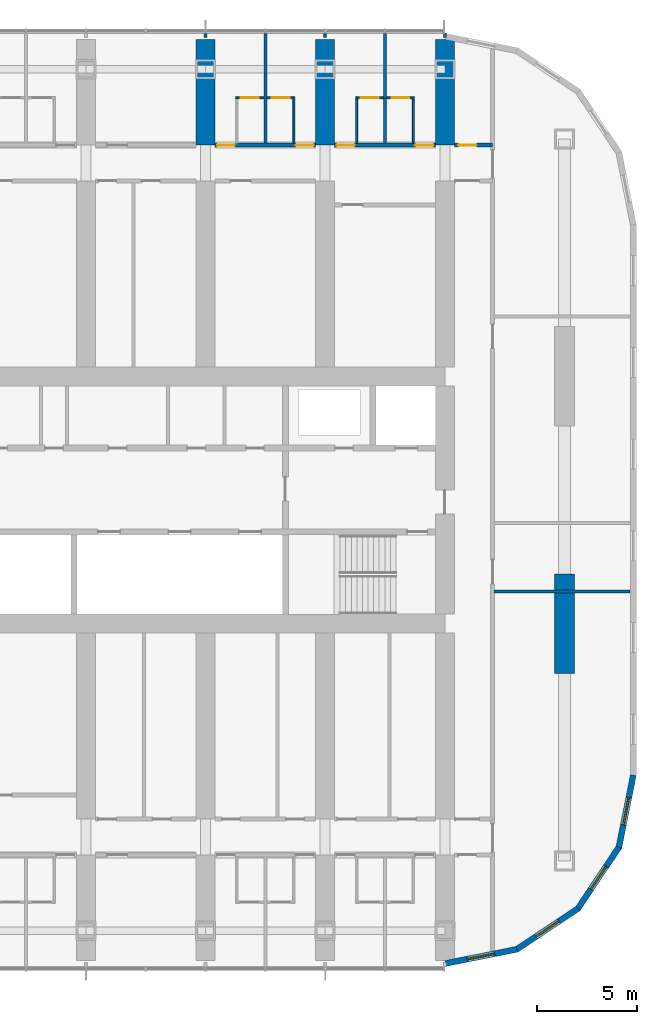
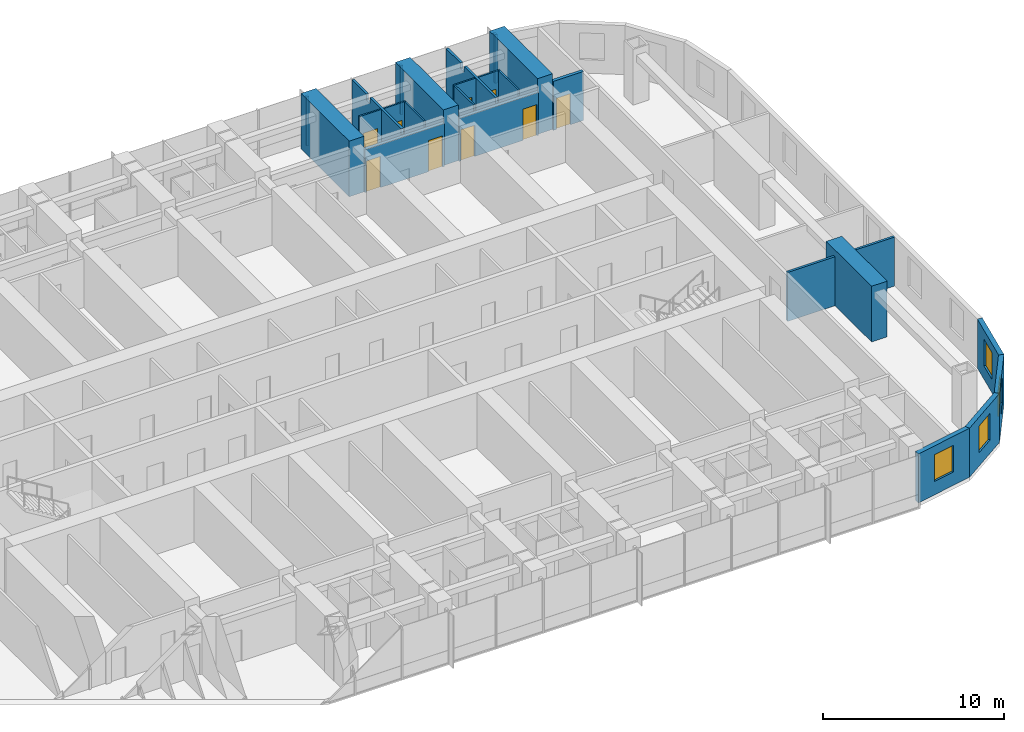
# One storey, part 15 of 21: 24 walls, 9 doors, 4 windows, 13 openings.
"""IFC4 building model written with IfcOpenShell, lengths in metres."""

from ifc_helpers import new_model, si_unit, direction, frame, frame_2d, origin, place, context, subcontext, project, spatial, polyline, rectangle, outline, extrude, material, layer, layer_set, type_object, element, fill, save


model = new_model("IFC4")

# Units and contexts
model_context = context("Model", 3, precision=1e-05, world=origin(), true_north=direction((0.0, 1.0)))
body_context = subcontext(model_context, "Body", "Model", "MODEL_VIEW")
ifc_project = project(units=[si_unit("LENGTHUNIT", "METRE"), si_unit("AREAUNIT", "SQUARE_METRE"), si_unit("VOLUMEUNIT", "CUBIC_METRE"), si_unit("PLANEANGLEUNIT", "RADIAN"), si_unit("MASSUNIT", "GRAM", prefix="KILO")], contexts=[model_context])

# Site, building, storey
site_placement = place(None, origin())
site = spatial("IfcSite", under=ifc_project, at=site_placement, CompositionType="ELEMENT")
building_placement = place(site_placement, origin())
building = spatial("IfcBuilding", under=site, at=building_placement, Name="Orbita Commons", CompositionType="ELEMENT")
storey_placement = place(building_placement, frame((0.0, 0.0, 95.64990234375)))
storey = spatial("IfcBuildingStorey", under=building, at=storey_placement, Name="L23", CompositionType="ELEMENT", Elevation=95.64990234375)

# Wall, openings, doors
ifc_material_1 = material(Name="Concrete blockwork", Category="masonry")
ifc_layer_1 = layer(ifc_material_1, 0.199951171875)
ifc_layer_set_1 = layer_set([ifc_layer_1], Name="Concrete blockwork")
wall_type_1 = type_object("IfcWallType", Name="Corridor wall 200 blockwork", PredefinedType="SOLIDWALL", material=ifc_layer_set_1)
wall_1_placement = place(storey_placement, frame((54.47509765625, 49.800048828125, 0.0), z_axis=(0.0, 0.0, 1.0), x_axis=(1.0, 0.0, 0.0)))
wall_1 = element("IfcWall", 1, at=wall_1_placement, inside=storey, type_object=wall_type_1, Name="Corridor wall 200 blockwork L23", PredefinedType="SOLIDWALL", context=body_context, shape_type="SweptSolid", body=[
    extrude(outline(polyline([(0.0, 0.0), (5.0498046875, 0.0), (5.050048828125, 2.900146484375), (0.0, 2.900146484375), (0.0, 0.0)])), frame((0.0, 0.10009765625, 0.0), z_axis=(0.0, -1.0, 0.0), x_axis=(1.0, 0.0, 0.0)), (0.0, 0.0, 1.0), 0.199951171875),
])
opening_1_placement = place(wall_1_placement, frame((0.10009765625, 0.0, 0.0)))
opening_1 = element("IfcOpeningElement", 2, at=opening_1_placement, cuts=wall_1, Name="Opening D11", PredefinedType="OPENING", context=body_context, shape_type="SweptSolid", body=[
    extrude(rectangle(XDim=0.89990234375, YDim=2.10009765625, at=frame_2d((0.449951171875, 1.050048828125))), frame((0.0, 0.10986328125, 0.0), z_axis=(0.0, -1.0, 0.0), x_axis=(1.0, 0.0, 0.0)), (0.0, 0.0, 1.0), 0.219970703125),
])
opening_2_placement = place(wall_1_placement, frame((4.050048828125, 0.0, 0.0)))
opening_2 = element("IfcOpeningElement", 3, at=opening_2_placement, cuts=wall_1, Name="Opening D11", PredefinedType="OPENING", context=body_context, shape_type="SweptSolid", body=[
    extrude(rectangle(XDim=0.89990234375, YDim=2.10009765625, at=frame_2d((0.449951171875, 1.050048828125))), frame((0.0, 0.10986328125, 0.0), z_axis=(0.0, -1.0, 0.0), x_axis=(1.0, 0.0, 0.0)), (0.0, 0.0, 1.0), 0.219970703125),
])
ifc_material_2 = material(Name="Steel-faced fire door leaf", Category="steel")
door_type_1 = type_object("IfcDoorType", Name="Corridor door 20 min 900x2100", OperationType="SINGLE_SWING_LEFT", PredefinedType="DOOR", material=ifc_material_2)
door_1_placement = place(opening_1_placement, origin())
door_1 = element("IfcDoor", 4, at=door_1_placement, inside=storey, type_object=door_type_1, Name="Cluster bedroom L23-N14 door", OperationType="SINGLE_SWING_LEFT", OverallHeight=2.10009765625, OverallWidth=0.89990234375, PredefinedType="DOOR", context=body_context, shape_type="SweptSolid", body=[
    extrude(rectangle(XDim=0.89990234375, YDim=2.10009765625, at=frame_2d((0.449951171875, 1.050048828125))), frame((0.0, 0.02490234375, 0.0), z_axis=(0.0, -1.0, 0.0), x_axis=(1.0, 0.0, 0.0)), (0.0, 0.0, 1.0), 0.050048828125),
])
fill(opening_1, door_1)
door_2_placement = place(opening_2_placement, origin())
door_2 = element("IfcDoor", 5, at=door_2_placement, inside=storey, type_object=door_type_1, Name="Cluster bedroom L23-N15 door", OperationType="SINGLE_SWING_LEFT", OverallHeight=2.10009765625, OverallWidth=0.89990234375, PredefinedType="DOOR", context=body_context, shape_type="SweptSolid", body=[
    extrude(rectangle(XDim=0.89990234375, YDim=2.10009765625, at=frame_2d((0.449951171875, 1.050048828125))), frame((0.0, 0.02490234375, 0.0), z_axis=(0.0, -1.0, 0.0), x_axis=(1.0, 0.0, 0.0)), (0.0, 0.0, 1.0), 0.050048828125),
])
fill(opening_2, door_2)

wall_2_placement = place(storey_placement, frame((60.47509765625, 49.800048828125, 0.0), z_axis=(0.0, 0.0, 1.0), x_axis=(1.0, 0.0, 0.0)))
wall_2 = element("IfcWall", 6, at=wall_2_placement, inside=storey, type_object=wall_type_1, Name="Corridor wall 200 blockwork L23", PredefinedType="SOLIDWALL", context=body_context, shape_type="SweptSolid", body=[
    extrude(outline(polyline([(0.0, 0.0), (5.0498046875, 0.0), (5.050048828125, 2.900146484375), (0.0, 2.900146484375), (0.0, 0.0)])), frame((0.0, 0.10009765625, 0.0), z_axis=(0.0, -1.0, 0.0), x_axis=(1.0, 0.0, 0.0)), (0.0, 0.0, 1.0), 0.199951171875),
])
opening_3_placement = place(wall_2_placement, frame((0.10009765625, 0.0, 0.0)))
opening_3 = element("IfcOpeningElement", 7, at=opening_3_placement, cuts=wall_2, Name="Opening D11", PredefinedType="OPENING", context=body_context, shape_type="SweptSolid", body=[
    extrude(rectangle(XDim=0.89990234375, YDim=2.10009765625, at=frame_2d((0.449951171875, 1.050048828125))), frame((0.0, 0.10986328125, 0.0), z_axis=(0.0, -1.0, 0.0), x_axis=(1.0, 0.0, 0.0)), (0.0, 0.0, 1.0), 0.219970703125),
])
opening_4_placement = place(wall_2_placement, frame((4.050048828125, 0.0, 0.0)))
opening_4 = element("IfcOpeningElement", 8, at=opening_4_placement, cuts=wall_2, Name="Opening D11", PredefinedType="OPENING", context=body_context, shape_type="SweptSolid", body=[
    extrude(rectangle(XDim=0.89990234375, YDim=2.10009765625, at=frame_2d((0.449951171875, 1.050048828125))), frame((0.0, 0.10986328125, 0.0), z_axis=(0.0, -1.0, 0.0), x_axis=(1.0, 0.0, 0.0)), (0.0, 0.0, 1.0), 0.219970703125),
])
door_3_placement = place(opening_3_placement, origin())
door_3 = element("IfcDoor", 9, at=door_3_placement, inside=storey, type_object=door_type_1, Name="Cluster bedroom L23-N16 door", OperationType="SINGLE_SWING_LEFT", OverallHeight=2.10009765625, OverallWidth=0.89990234375, PredefinedType="DOOR", context=body_context, shape_type="SweptSolid", body=[
    extrude(rectangle(XDim=0.89990234375, YDim=2.10009765625, at=frame_2d((0.449951171875, 1.050048828125))), frame((0.0, 0.02490234375, 0.0), z_axis=(0.0, -1.0, 0.0), x_axis=(1.0, 0.0, 0.0)), (0.0, 0.0, 1.0), 0.050048828125),
])
fill(opening_3, door_3)
door_4_placement = place(opening_4_placement, origin())
door_4 = element("IfcDoor", 10, at=door_4_placement, inside=storey, type_object=door_type_1, Name="Cluster bedroom L23-N17 door", OperationType="SINGLE_SWING_LEFT", OverallHeight=2.10009765625, OverallWidth=0.89990234375, PredefinedType="DOOR", context=body_context, shape_type="SweptSolid", body=[
    extrude(rectangle(XDim=0.89990234375, YDim=2.10009765625, at=frame_2d((0.449951171875, 1.050048828125))), frame((0.0, 0.02490234375, 0.0), z_axis=(0.0, -1.0, 0.0), x_axis=(1.0, 0.0, 0.0)), (0.0, 0.0, 1.0), 0.050048828125),
])
fill(opening_4, door_4)

# Wall, opening, door
wall_3_placement = place(storey_placement, frame((66.47509765625, 49.800048828125, 0.0), z_axis=(0.0, 0.0, 1.0), x_axis=(1.0, 0.0, 0.0)))
wall_3 = element("IfcWall", 11, at=wall_3_placement, inside=storey, type_object=wall_type_1, Name="Corridor wall 200 blockwork L23", PredefinedType="SOLIDWALL", context=body_context, shape_type="SweptSolid", body=[
    extrude(rectangle(XDim=1.9248046875, YDim=0.199951171875, at=frame_2d((0.96240234375, 0.0))), origin(), (0.0, 0.0, 1.0), 3.300048828125),
])
opening_5_placement = place(wall_3_placement, frame((0.199951171875, 0.0, 0.0)))
opening_5 = element("IfcOpeningElement", 12, at=opening_5_placement, cuts=wall_3, Name="Opening D05", PredefinedType="OPENING", context=body_context, shape_type="SweptSolid", body=[
    extrude(rectangle(XDim=0.89990234375, YDim=2.10009765625, at=frame_2d((0.449951171875, 1.050048828125))), frame((0.0, 0.10986328125, 0.0), z_axis=(0.0, -1.0, 0.0), x_axis=(1.0, 0.0, 0.0)), (0.0, 0.0, 1.0), 0.219970703125),
])
ifc_material_3 = material(Name="Steel-faced fire door leaf", Category="steel")
door_type_2 = type_object("IfcDoorType", Name="Service door 20 min 900x2100", OperationType="SINGLE_SWING_LEFT", PredefinedType="DOOR", material=ifc_material_3)
door_5_placement = place(opening_5_placement, origin())
door_5 = element("IfcDoor", 13, at=door_5_placement, inside=storey, type_object=door_type_2, Name="Linen store L23-KEN door", OperationType="SINGLE_SWING_LEFT", OverallHeight=2.10009765625, OverallWidth=0.89990234375, PredefinedType="DOOR", context=body_context, shape_type="SweptSolid", body=[
    extrude(rectangle(XDim=0.89990234375, YDim=2.10009765625, at=frame_2d((0.449951171875, 1.050048828125))), frame((0.0, 0.02490234375, 0.0), z_axis=(0.0, -1.0, 0.0), x_axis=(1.0, 0.0, 0.0)), (0.0, 0.0, 1.0), 0.050048828125),
])
fill(opening_5, door_5)

# Walls
ifc_material_4 = material(Name="Concrete C50/60", Category="concrete")
ifc_layer_2 = layer(ifc_material_4, 0.949951171875)
ifc_layer_set_2 = layer_set([ifc_layer_2], Name="Concrete C50/60")
wall_type_2 = type_object("IfcWallType", Name="Cross wall 950 C50/60", PredefinedType="SHEAR", material=ifc_layer_set_2)
for number, where, z_axis, x_axis, name in (
    (14, (54.0, 49.800048828125, 0.0), (0.0, 0.0, 1.0), (0.0, 1.0, 0.0), "Cross wall 10 north outer L23"),
    (15, (60.0, 49.800048828125, 0.0), (0.0, 0.0, 1.0), (0.0, 1.0, 0.0), "Cross wall 11 north outer L23"),
    (16, (66.0, 49.800048828125, 0.0), (0.0, 0.0, 1.0), (0.0, 1.0, 0.0), "Cross wall 12 north outer L23"),
):
    element("IfcWall", number, at=place(storey_placement, frame(where, z_axis=z_axis, x_axis=x_axis)), inside=storey, type_object=wall_type_2, Name=name, PredefinedType="SHEAR", context=body_context, shape_type="SweptSolid", body=[
        extrude(rectangle(XDim=5.300048828125, YDim=0.949951171875, at=frame_2d((2.64990234375, 0.0))), origin(), (0.0, 0.0, 1.0), 3.75),
    ])

# Wall, opening, door
ifc_material_5 = material(Name="Moisture-resistant plasterboard on steel studs", Category="steel")
ifc_layer_3 = layer(ifc_material_5, 0.10009765625)
ifc_layer_set_3 = layer_set([ifc_layer_3], Name="Moisture-resistant plasterboard on steel studs")
wall_type_3 = type_object("IfcWallType", Name="En-suite partition 100", PredefinedType="PARTITIONING", material=ifc_layer_set_3)
wall_4_placement = place(storey_placement, frame((55.52490234375, 52.1591796875, 0.0), z_axis=(0.0, 0.0, 1.0), x_axis=(1.0, 0.0, 0.0)))
wall_4 = element("IfcWall", 17, at=wall_4_placement, inside=storey, type_object=wall_type_3, Name="En-suite partition 100 L23", PredefinedType="PARTITIONING", context=body_context, shape_type="SweptSolid", body=[
    extrude(rectangle(XDim=1.400146484375, YDim=0.10009765625, at=frame_2d((0.7001953125, 0.0))), origin(), (0.0, 0.0, 1.0), 3.300048828125),
])
opening_6_placement = place(wall_4_placement, frame((0.25, 0.0, 0.0)))
opening_6 = element("IfcOpeningElement", 18, at=opening_6_placement, cuts=wall_4, Name="Opening D09", PredefinedType="OPENING", context=body_context, shape_type="SweptSolid", body=[
    extrude(rectangle(XDim=0.89990234375, YDim=2.10009765625, at=frame_2d((0.449951171875, 1.050048828125))), frame((0.0, 0.06005859375, 0.0), z_axis=(0.0, -1.0, 0.0), x_axis=(1.0, 0.0, 0.0)), (0.0, 0.0, 1.0), 0.1201171875),
])
ifc_material_6 = material(Name="Laminated timber door leaf", Category="wood")
door_type_3 = type_object("IfcDoorType", Name="En-suite door 900x2100", OperationType="SINGLE_SWING_RIGHT", PredefinedType="DOOR", material=ifc_material_6)
door_6_placement = place(opening_6_placement, origin())
door_6 = element("IfcDoor", 19, at=door_6_placement, inside=storey, type_object=door_type_3, Name="En-suite L23-N14 door", OperationType="SINGLE_SWING_RIGHT", OverallHeight=2.10009765625, OverallWidth=0.89990234375, PredefinedType="DOOR", context=body_context, shape_type="SweptSolid", body=[
    extrude(rectangle(XDim=0.89990234375, YDim=2.10009765625, at=frame_2d((0.449951171875, 1.050048828125))), frame((0.0, 0.02490234375, 0.0), z_axis=(0.0, -1.0, 0.0), x_axis=(1.0, 0.0, 0.0)), (0.0, 0.0, 1.0), 0.050048828125),
])
fill(opening_6, door_6)

wall_5_placement = place(storey_placement, frame((57.074951171875, 52.1591796875, 0.0), z_axis=(0.0, 0.0, 1.0), x_axis=(1.0, 0.0, 0.0)))
wall_5 = element("IfcWall", 20, at=wall_5_placement, inside=storey, type_object=wall_type_3, Name="En-suite partition 100 L23", PredefinedType="PARTITIONING", context=body_context, shape_type="SweptSolid", body=[
    extrude(rectangle(XDim=1.400146484375, YDim=0.10009765625, at=frame_2d((0.7001953125, 0.0))), origin(), (0.0, 0.0, 1.0), 3.300048828125),
])
opening_7_placement = place(wall_5_placement, frame((0.25, 0.0, 0.0)))
opening_7 = element("IfcOpeningElement", 21, at=opening_7_placement, cuts=wall_5, Name="Opening D09", PredefinedType="OPENING", context=body_context, shape_type="SweptSolid", body=[
    extrude(rectangle(XDim=0.89990234375, YDim=2.10009765625, at=frame_2d((0.449951171875, 1.050048828125))), frame((0.0, 0.06005859375, 0.0), z_axis=(0.0, -1.0, 0.0), x_axis=(1.0, 0.0, 0.0)), (0.0, 0.0, 1.0), 0.1201171875),
])
door_7_placement = place(opening_7_placement, origin())
door_7 = element("IfcDoor", 22, at=door_7_placement, inside=storey, type_object=door_type_3, Name="En-suite L23-N15 door", OperationType="SINGLE_SWING_RIGHT", OverallHeight=2.10009765625, OverallWidth=0.89990234375, PredefinedType="DOOR", context=body_context, shape_type="SweptSolid", body=[
    extrude(rectangle(XDim=0.89990234375, YDim=2.10009765625, at=frame_2d((0.449951171875, 1.050048828125))), frame((0.0, 0.02490234375, 0.0), z_axis=(0.0, -1.0, 0.0), x_axis=(1.0, 0.0, 0.0)), (0.0, 0.0, 1.0), 0.050048828125),
])
fill(opening_7, door_7)

# Wall
wall_6_placement = place(storey_placement, frame((58.425048828125, 52.109375, 0.0), z_axis=(0.0, 0.0, 1.0), x_axis=(0.0, -1.0, 0.0)))
element("IfcWall", 23, at=wall_6_placement, inside=storey, type_object=wall_type_3, Name="En-suite partition 100 L23", PredefinedType="PARTITIONING", context=body_context, shape_type="SweptSolid", body=[
    extrude(outline(polyline([(0.0, 0.0), (2.20947265625, 0.0), (2.209228515625, 2.900146484375), (2.161376953125, 2.900146484375), (2.1591796875, 3.300048828125), (0.0, 3.300048828125), (0.0, 0.0)])), frame((0.0, 0.050048828125, 0.0), z_axis=(0.0, -1.0, 0.0), x_axis=(1.0, 0.0, 0.0)), (0.0, 0.0, 1.0), 0.10009765625),
])

# Wall, opening, door
wall_7_placement = place(storey_placement, frame((61.52490234375, 52.1591796875, 0.0), z_axis=(0.0, 0.0, 1.0), x_axis=(1.0, 0.0, 0.0)))
wall_7 = element("IfcWall", 24, at=wall_7_placement, inside=storey, type_object=wall_type_3, Name="En-suite partition 100 L23", PredefinedType="PARTITIONING", context=body_context, shape_type="SweptSolid", body=[
    extrude(rectangle(XDim=1.400146484375, YDim=0.10009765625, at=frame_2d((0.7001953125, 0.0))), origin(), (0.0, 0.0, 1.0), 3.300048828125),
])
opening_8_placement = place(wall_7_placement, frame((0.25, 0.0, 0.0)))
opening_8 = element("IfcOpeningElement", 25, at=opening_8_placement, cuts=wall_7, Name="Opening D09", PredefinedType="OPENING", context=body_context, shape_type="SweptSolid", body=[
    extrude(rectangle(XDim=0.89990234375, YDim=2.10009765625, at=frame_2d((0.449951171875, 1.050048828125))), frame((0.0, 0.06005859375, 0.0), z_axis=(0.0, -1.0, 0.0), x_axis=(1.0, 0.0, 0.0)), (0.0, 0.0, 1.0), 0.1201171875),
])
door_8_placement = place(opening_8_placement, origin())
door_8 = element("IfcDoor", 26, at=door_8_placement, inside=storey, type_object=door_type_3, Name="En-suite L23-N16 door", OperationType="SINGLE_SWING_RIGHT", OverallHeight=2.10009765625, OverallWidth=0.89990234375, PredefinedType="DOOR", context=body_context, shape_type="SweptSolid", body=[
    extrude(rectangle(XDim=0.89990234375, YDim=2.10009765625, at=frame_2d((0.449951171875, 1.050048828125))), frame((0.0, 0.02490234375, 0.0), z_axis=(0.0, -1.0, 0.0), x_axis=(1.0, 0.0, 0.0)), (0.0, 0.0, 1.0), 0.050048828125),
])
fill(opening_8, door_8)

# Wall
wall_8_placement = place(storey_placement, frame((61.574951171875, 52.109375, 0.0), z_axis=(0.0, 0.0, 1.0), x_axis=(0.0, -1.0, 0.0)))
element("IfcWall", 27, at=wall_8_placement, inside=storey, type_object=wall_type_3, Name="En-suite partition 100 L23", PredefinedType="PARTITIONING", context=body_context, shape_type="SweptSolid", body=[
    extrude(outline(polyline([(0.0, 0.0), (2.20947265625, 0.0), (2.209228515625, 2.900146484375), (2.161376953125, 2.900146484375), (2.1591796875, 3.300048828125), (0.0, 3.300048828125), (0.0, 0.0)])), frame((0.0, 0.050048828125, 0.0), z_axis=(0.0, -1.0, 0.0), x_axis=(1.0, 0.0, 0.0)), (0.0, 0.0, 1.0), 0.10009765625),
])

# Wall, opening, door
wall_9_placement = place(storey_placement, frame((63.074951171875, 52.1591796875, 0.0), z_axis=(0.0, 0.0, 1.0), x_axis=(1.0, 0.0, 0.0)))
wall_9 = element("IfcWall", 28, at=wall_9_placement, inside=storey, type_object=wall_type_3, Name="En-suite partition 100 L23", PredefinedType="PARTITIONING", context=body_context, shape_type="SweptSolid", body=[
    extrude(rectangle(XDim=1.400146484375, YDim=0.10009765625, at=frame_2d((0.7001953125, 0.0))), origin(), (0.0, 0.0, 1.0), 3.300048828125),
])
opening_9_placement = place(wall_9_placement, frame((0.25, 0.0, 0.0)))
opening_9 = element("IfcOpeningElement", 29, at=opening_9_placement, cuts=wall_9, Name="Opening D09", PredefinedType="OPENING", context=body_context, shape_type="SweptSolid", body=[
    extrude(rectangle(XDim=0.89990234375, YDim=2.10009765625, at=frame_2d((0.449951171875, 1.050048828125))), frame((0.0, 0.06005859375, 0.0), z_axis=(0.0, -1.0, 0.0), x_axis=(1.0, 0.0, 0.0)), (0.0, 0.0, 1.0), 0.1201171875),
])
door_9_placement = place(opening_9_placement, origin())
door_9 = element("IfcDoor", 30, at=door_9_placement, inside=storey, type_object=door_type_3, Name="En-suite L23-N17 door", OperationType="SINGLE_SWING_RIGHT", OverallHeight=2.10009765625, OverallWidth=0.89990234375, PredefinedType="DOOR", context=body_context, shape_type="SweptSolid", body=[
    extrude(rectangle(XDim=0.89990234375, YDim=2.10009765625, at=frame_2d((0.449951171875, 1.050048828125))), frame((0.0, 0.02490234375, 0.0), z_axis=(0.0, -1.0, 0.0), x_axis=(1.0, 0.0, 0.0)), (0.0, 0.0, 1.0), 0.050048828125),
])
fill(opening_9, door_9)

# Walls
wall_10_placement = place(storey_placement, frame((64.425048828125, 52.109375, 0.0), z_axis=(0.0, 0.0, 1.0), x_axis=(0.0, -1.0, 0.0)))
element("IfcWall", 31, at=wall_10_placement, inside=storey, type_object=wall_type_3, Name="En-suite partition 100 L23", PredefinedType="PARTITIONING", context=body_context, shape_type="SweptSolid", body=[
    extrude(outline(polyline([(0.0, 0.0), (2.20947265625, 0.0), (2.209228515625, 2.900146484375), (2.161376953125, 2.900146484375), (2.1591796875, 3.300048828125), (0.0, 3.300048828125), (0.0, 0.0)])), frame((0.0, 0.050048828125, 0.0), z_axis=(0.0, -1.0, 0.0), x_axis=(1.0, 0.0, 0.0)), (0.0, 0.0, 1.0), 0.10009765625),
])
ifc_material_7 = material(Name="Concrete C50/60", Category="concrete")
ifc_layer_4 = layer(ifc_material_7, 1.0)
ifc_layer_set_4 = layer_set([ifc_layer_4], Name="Concrete C50/60")
wall_type_4 = type_object("IfcWallType", Name="End pier 1000x5000 C50/60", PredefinedType="SHEAR", material=ifc_layer_set_4)
wall_11_placement = place(storey_placement, frame((72.0, 23.300048828125, 0.0), z_axis=(0.0, 0.0, 1.0), x_axis=(0.0, 1.0, 0.0)))
element("IfcWall", 32, at=wall_11_placement, inside=storey, type_object=wall_type_4, Name="End pier 13/C L23", PredefinedType="SHEAR", context=body_context, shape_type="SweptSolid", body=[
    extrude(rectangle(XDim=5.0, YDim=1.0, at=frame_2d((2.5, 0.0))), origin(), (0.0, 0.0, 1.0), 3.75),
])
ifc_material_8 = material(Name="Gypsum plasterboard on steel studs", Category="steel")
ifc_layer_5 = layer(ifc_material_8, 0.14990234375)
ifc_layer_set_5 = layer_set([ifc_layer_5], Name="Gypsum plasterboard on steel studs")
wall_type_5 = type_object("IfcWallType", Name="Partition 150 plasterboard", PredefinedType="PARTITIONING", material=ifc_layer_set_5)
wall_12_placement = place(storey_placement, frame((68.47509765625, 27.39990234375, 0.0), z_axis=(0.0, 0.0, 1.0), x_axis=(1.0, 0.0, 0.0)))
element("IfcWall", 33, at=wall_12_placement, inside=storey, type_object=wall_type_5, Name="Partition 150 plasterboard L23", PredefinedType="PARTITIONING", context=body_context, shape_type="SweptSolid", body=[
    extrude(rectangle(XDim=6.81982421875, YDim=0.14990234375, at=frame_2d((3.409912109375, 0.0))), origin(), (0.0, 0.0, 1.0), 3.300048828125),
])
for number, where, z_axis, x_axis, name in (
    (34, (54.0, 55.199951171875, 0.0), (0.0, 0.0, 1.0), (0.0, 1.0, 0.0), "Partition 150 plasterboard L23"),
    (35, (60.0, 55.199951171875, 0.0), (0.0, 0.0, 1.0), (0.0, 1.0, 0.0), "Partition 150 plasterboard L23"),
):
    element("IfcWall", number, at=place(storey_placement, frame(where, z_axis=z_axis, x_axis=x_axis)), inside=storey, type_object=wall_type_5, Name=name, PredefinedType="PARTITIONING", context=body_context, shape_type="SweptSolid", body=[
        extrude(rectangle(XDim=0.18994140625, YDim=0.14990234375, at=frame_2d((0.094970703125, 0.0))), origin(), (0.0, 0.0, 1.0), 3.300048828125),
    ])
wall_13_placement = place(storey_placement, frame((66.0, 55.199951171875, 0.0), z_axis=(0.0, 0.0, 1.0), x_axis=(0.0, 1.0, 0.0)))
element("IfcWall", 36, at=wall_13_placement, inside=storey, type_object=wall_type_5, Name="Partition 150 plasterboard L23", PredefinedType="PARTITIONING", context=body_context, shape_type="SweptSolid", body=[
    extrude(rectangle(XDim=0.219970703125, YDim=0.14990234375, at=frame_2d((0.10986328125, 0.0))), origin(), (0.0, 0.0, 1.0), 3.300048828125),
])
ifc_material_9 = material(Name="Gypsum plasterboard on steel studs", Category="steel")
ifc_layer_6 = layer(ifc_material_9, 0.14990234375)
ifc_layer_set_6 = layer_set([ifc_layer_6], Name="Gypsum plasterboard on steel studs")
wall_type_6 = type_object("IfcWallType", Name="Party wall 150 plasterboard", PredefinedType="PARTITIONING", material=ifc_layer_set_6)
for number, where, z_axis, x_axis, name in (
    (37, (57.0, 55.389892578125, 0.0), (0.0, 0.0, 1.0), (0.0, -1.0, 0.0), "Party wall 150 plasterboard L23"),
    (38, (63.0, 55.389892578125, 0.0), (0.0, 0.0, 1.0), (0.0, -1.0, 0.0), "Party wall 150 plasterboard L23"),
):
    element("IfcWall", number, at=place(storey_placement, frame(where, z_axis=z_axis, x_axis=x_axis)), inside=storey, type_object=wall_type_6, Name=name, PredefinedType="PARTITIONING", context=body_context, shape_type="SweptSolid", body=[
        extrude(outline(polyline([(0.0, 0.0), (5.489990234375, 0.0), (5.489990234375, 2.900146484375), (5.44189453125, 2.900146484375), (5.43994140625, 3.300048828125), (1.991943359375, 3.300048828125), (1.989990234375, 2.900146484375), (1.592041015625, 2.900146484375), (1.590087890625, 3.300048828125), (0.0, 3.300048828125), (0.0, 0.0)])), frame((0.0, 0.074951171875, 0.0), z_axis=(0.0, -1.0, 0.0), x_axis=(1.0, 0.0, 0.0)), (0.0, 0.0, 1.0), 0.14990234375),
    ])

# Wall, opening, window
ifc_material_10 = material(Name="Precast concrete C40/50, white board-marked finish", Category="concrete")
ifc_layer_7 = layer(ifc_material_10, 0.300048828125)
ifc_layer_set_7 = layer_set([ifc_layer_7], Name="Precast concrete C40/50, white board-marked finish")
wall_type_7 = type_object("IfcWallType", Name="Precast concrete end shield 300", PredefinedType="SOLIDWALL", material=ifc_layer_set_7)
wall_14_placement = place(storey_placement, frame((66.0, 8.75, 0.0), z_axis=(0.0, 0.0, 1.0), x_axis=(0.980791473772, 0.195059183267, 0.0)))
wall_14 = element("IfcWall", 39, at=wall_14_placement, inside=storey, type_object=wall_type_7, Name="End shield SE chord 1 L23", PredefinedType="SOLIDWALL", context=body_context, shape_type="SweptSolid", body=[
    extrude(outline(polyline([(-0.02978515625, -0.14990234375), (3.717041015625, -0.14990234375), (3.657470703125, 0.14990234375), (0.02978515625, 0.14990234375), (-0.02978515625, -0.14990234375)])), origin(), (0.0, 0.0, 1.0), 3.300048828125),
])
opening_10_placement = place(wall_14_placement, frame((1.1435546875, 0.0, 0.89990234375)))
opening_10 = element("IfcOpeningElement", 40, at=opening_10_placement, cuts=wall_14, Name="Opening W02", PredefinedType="OPENING", context=body_context, shape_type="SweptSolid", body=[
    extrude(rectangle(XDim=1.39990234375, YDim=1.800048828125, at=frame_2d((0.699951171875, 0.89990234375))), frame((0.0, 0.159912109375, 0.0), z_axis=(0.0, -1.0, 0.0), x_axis=(1.0, 0.0, 0.0)), (0.0, 0.0, 1.0), 0.320068359375),
])
ifc_material_11 = material(Name="Aluminium frame, clear double glazing", Category="aluminium")
window_type = type_object("IfcWindowType", Name="Deep-set window 1400x1800", PartitioningType="SINGLE_PANEL", PredefinedType="WINDOW", material=ifc_material_11)
window_1_placement = place(opening_10_placement, origin())
window_1 = element("IfcWindow", 41, at=window_1_placement, inside=storey, type_object=window_type, Name="Window L23-SE0", OverallHeight=1.800048828125, OverallWidth=1.39990234375, PartitioningType="SINGLE_PANEL", PredefinedType="WINDOW", context=body_context, shape_type="SweptSolid", body=[
    extrude(rectangle(XDim=1.39990234375, YDim=1.800048828125, at=frame_2d((0.699951171875, 0.89990234375))), frame((0.0, 0.030029296875, 0.0), z_axis=(0.0, -1.0, 0.0), x_axis=(1.0, 0.0, 0.0)), (0.0, 0.0, 1.0), 0.06005859375),
])
fill(opening_10, window_1)

wall_15_placement = place(storey_placement, frame((69.616455078125, 9.46923828125, 0.0), z_axis=(0.0, 0.0, 1.0), x_axis=(0.831448786846, 0.555601399253, 0.0)))
wall_15 = element("IfcWall", 42, at=wall_15_placement, inside=storey, type_object=wall_type_7, Name="End shield SE chord 2 L23", PredefinedType="SOLIDWALL", context=body_context, shape_type="SweptSolid", body=[
    extrude(outline(polyline([(-0.02978515625, -0.14990234375), (3.717041015625, -0.14990234375), (3.657470703125, 0.14990234375), (0.02978515625, 0.14990234375), (-0.02978515625, -0.14990234375)])), origin(), (0.0, 0.0, 1.0), 3.300048828125),
])
opening_11_placement = place(wall_15_placement, frame((1.1435546875, 0.0, 0.89990234375)))
opening_11 = element("IfcOpeningElement", 43, at=opening_11_placement, cuts=wall_15, Name="Opening W02", PredefinedType="OPENING", context=body_context, shape_type="SweptSolid", body=[
    extrude(rectangle(XDim=1.39990234375, YDim=1.800048828125, at=frame_2d((0.699951171875, 0.89990234375))), frame((0.0, 0.159912109375, 0.0), z_axis=(0.0, -1.0, 0.0), x_axis=(1.0, 0.0, 0.0)), (0.0, 0.0, 1.0), 0.320068359375),
])
window_2_placement = place(opening_11_placement, origin())
window_2 = element("IfcWindow", 44, at=window_2_placement, inside=storey, type_object=window_type, Name="Window L23-SE1", OverallHeight=1.800048828125, OverallWidth=1.39990234375, PartitioningType="SINGLE_PANEL", PredefinedType="WINDOW", context=body_context, shape_type="SweptSolid", body=[
    extrude(rectangle(XDim=1.39990234375, YDim=1.800048828125, at=frame_2d((0.699951171875, 0.89990234375))), frame((0.0, 0.030029296875, 0.0), z_axis=(0.0, -1.0, 0.0), x_axis=(1.0, 0.0, 0.0)), (0.0, 0.0, 1.0), 0.06005859375),
])
fill(opening_11, window_2)

wall_16_placement = place(storey_placement, frame((72.68212890625, 11.517822265625, 0.0), z_axis=(0.0, 0.0, 1.0), x_axis=(0.555601399253, 0.831448786846, 0.0)))
wall_16 = element("IfcWall", 45, at=wall_16_placement, inside=storey, type_object=wall_type_7, Name="End shield SE chord 3 L23", PredefinedType="SOLIDWALL", context=body_context, shape_type="SweptSolid", body=[
    extrude(outline(polyline([(-0.02978515625, -0.14990234375), (3.717041015625, -0.14990234375), (3.657470703125, 0.14990234375), (0.02978515625, 0.14990234375), (-0.02978515625, -0.14990234375)])), origin(), (0.0, 0.0, 1.0), 3.300048828125),
])
opening_12_placement = place(wall_16_placement, frame((1.1435546875, 0.0, 0.89990234375)))
opening_12 = element("IfcOpeningElement", 46, at=opening_12_placement, cuts=wall_16, Name="Opening W02", PredefinedType="OPENING", context=body_context, shape_type="SweptSolid", body=[
    extrude(rectangle(XDim=1.39990234375, YDim=1.800048828125, at=frame_2d((0.699951171875, 0.89990234375))), frame((0.0, 0.159912109375, 0.0), z_axis=(0.0, -1.0, 0.0), x_axis=(1.0, 0.0, 0.0)), (0.0, 0.0, 1.0), 0.320068359375),
])
window_3_placement = place(opening_12_placement, origin())
window_3 = element("IfcWindow", 47, at=window_3_placement, inside=storey, type_object=window_type, Name="Window L23-SE2", OverallHeight=1.800048828125, OverallWidth=1.39990234375, PartitioningType="SINGLE_PANEL", PredefinedType="WINDOW", context=body_context, shape_type="SweptSolid", body=[
    extrude(rectangle(XDim=1.39990234375, YDim=1.800048828125, at=frame_2d((0.699951171875, 0.89990234375))), frame((0.0, 0.030029296875, 0.0), z_axis=(0.0, -1.0, 0.0), x_axis=(1.0, 0.0, 0.0)), (0.0, 0.0, 1.0), 0.06005859375),
])
fill(opening_12, window_3)

wall_17_placement = place(storey_placement, frame((74.730712890625, 14.58349609375, 0.0), z_axis=(0.0, 0.0, 1.0), x_axis=(0.195059183267, 0.980791473772, 0.0)))
wall_17 = element("IfcWall", 48, at=wall_17_placement, inside=storey, type_object=wall_type_7, Name="End shield SE chord 4 L23", PredefinedType="SOLIDWALL", context=body_context, shape_type="SweptSolid", body=[
    extrude(outline(polyline([(-0.02978515625, -0.14990234375), (3.7021484375, -0.14990234375), (3.67236328125, 0.14990234375), (0.02978515625, 0.14990234375), (-0.02978515625, -0.14990234375)])), origin(), (0.0, 0.0, 1.0), 3.300048828125),
])
opening_13_placement = place(wall_17_placement, frame((1.1435546875, 0.0, 0.89990234375)))
opening_13 = element("IfcOpeningElement", 49, at=opening_13_placement, cuts=wall_17, Name="Opening W02", PredefinedType="OPENING", context=body_context, shape_type="SweptSolid", body=[
    extrude(rectangle(XDim=1.39990234375, YDim=1.800048828125, at=frame_2d((0.699951171875, 0.89990234375))), frame((0.0, 0.159912109375, 0.0), z_axis=(0.0, -1.0, 0.0), x_axis=(1.0, 0.0, 0.0)), (0.0, 0.0, 1.0), 0.320068359375),
])
window_4_placement = place(opening_13_placement, origin())
window_4 = element("IfcWindow", 50, at=window_4_placement, inside=storey, type_object=window_type, Name="Window L23-SE3", OverallHeight=1.800048828125, OverallWidth=1.39990234375, PartitioningType="SINGLE_PANEL", PredefinedType="WINDOW", context=body_context, shape_type="SweptSolid", body=[
    extrude(rectangle(XDim=1.39990234375, YDim=1.800048828125, at=frame_2d((0.699951171875, 0.89990234375))), frame((0.0, 0.030029296875, 0.0), z_axis=(0.0, -1.0, 0.0), x_axis=(1.0, 0.0, 0.0)), (0.0, 0.0, 1.0), 0.06005859375),
])
fill(opening_13, window_4)

save(model, "model.ifc")
